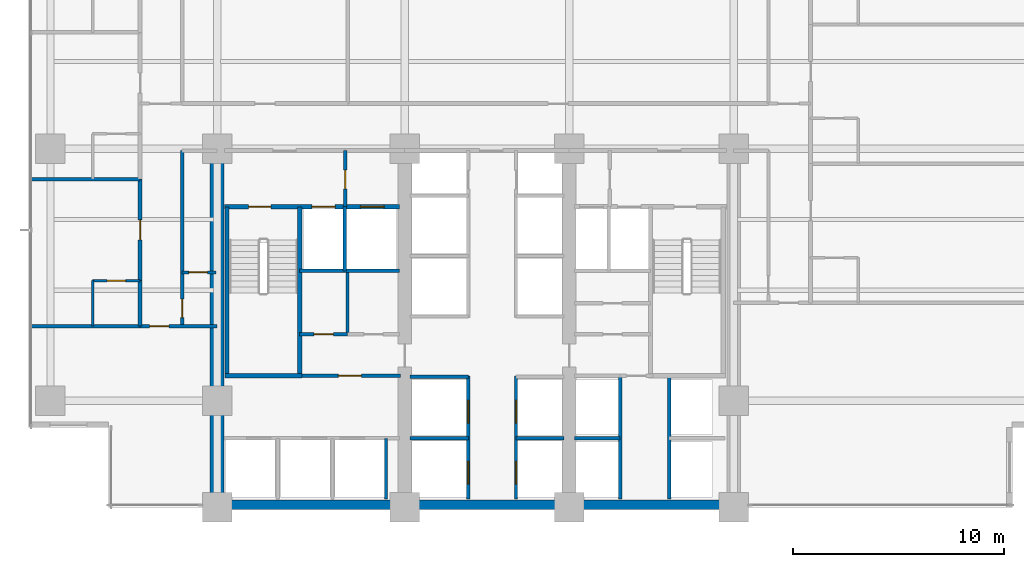
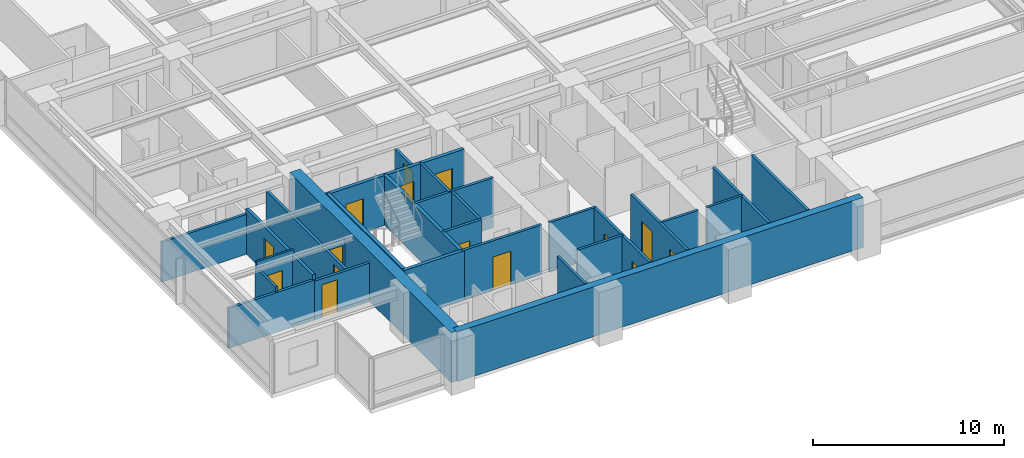
# One storey, part 7 of 16: 30 walls, 15 doors, 15 openings.
"""IFC4 building model written with IfcOpenShell, lengths in metres."""

from ifc_helpers import new_model, si_unit, direction, frame, frame_2d, origin, place, context, subcontext, project, spatial, rectangle, extrude, material, layer, layer_set, type_object, element, fill, save


model = new_model("IFC4")

# Units and contexts
model_context = context("Model", 3, precision=1e-05, world=origin(), true_north=direction((0.0, 1.0)))
body_context = subcontext(model_context, "Body", "Model", "MODEL_VIEW")
ifc_project = project(units=[si_unit("LENGTHUNIT", "METRE"), si_unit("AREAUNIT", "SQUARE_METRE"), si_unit("VOLUMEUNIT", "CUBIC_METRE"), si_unit("PLANEANGLEUNIT", "RADIAN"), si_unit("MASSUNIT", "GRAM", prefix="KILO")], contexts=[model_context])

# Site, building, storey
site_placement = place(None, origin())
site = spatial("IfcSite", under=ifc_project, at=site_placement, CompositionType="ELEMENT")
building_placement = place(site_placement, origin())
building = spatial("IfcBuilding", under=site, at=building_placement, Name="Qalmaran Belvedere Hotel", CompositionType="ELEMENT")
storey_placement = place(building_placement, frame((0.0, 0.0, 71.89990234375)))
storey = spatial("IfcBuildingStorey", under=building, at=storey_placement, Name="L18", CompositionType="ELEMENT", Elevation=71.89990234375)

# Walls
ifc_material_1 = material(Name="Concrete C60/75", Category="concrete")
ifc_layer_1 = layer(ifc_material_1, 0.64990234375, Name="Concrete C60/75")
ifc_layer_set_1 = layer_set([ifc_layer_1], Name="Concrete C60/75")
wall_type_1 = type_object("IfcWallType", Name="WL-CORE-650-C60", PredefinedType="SHEAR", material=ifc_layer_set_1)
wall_1_placement = place(storey_placement, frame((20.300048828125, 3.5, 0.0), z_axis=(0.0, 0.0, 1.0), x_axis=(0.0, 1.0, 0.0)))
element("IfcWall", 1, at=wall_1_placement, inside=storey, type_object=wall_type_1, Name="L18 West Core Shear Wall", PredefinedType="SHEAR", context=body_context, shape_type="SweptSolid", body=[
    extrude(rectangle(XDim=16.89990234375, YDim=0.64990234375, at=frame_2d((8.449951171875, 0.0))), origin(), (0.0, 0.0, 1.0), 3.18017578125),
])
ifc_material_2 = material(Name="Concrete C50/60", Category="concrete")
ifc_layer_2 = layer(ifc_material_2, 0.43994140625, Name="Concrete C50/60")
ifc_layer_set_2 = layer_set([ifc_layer_2], Name="Concrete C50/60")
wall_type_2 = type_object("IfcWallType", Name="WL-CORES-440-EXT", PredefinedType="SHEAR", material=ifc_layer_set_2)
wall_2_placement = place(storey_placement, frame((20.300048828125, 3.6298828125, 0.0), z_axis=(0.0, 0.0, 1.0), x_axis=(1.0, 0.0, 0.0)))
element("IfcWall", 2, at=wall_2_placement, inside=storey, type_object=wall_type_2, Name="L18 South Core Shear Wall", PredefinedType="SHEAR", context=body_context, shape_type="SweptSolid", body=[
    extrude(rectangle(XDim=24.5, YDim=0.43994140625, at=frame_2d((12.25, 0.0))), origin(), (0.0, 0.0, 1.0), 3.18017578125),
])

# Wall, opening, door
ifc_material_3 = material(Name="Moisture-Resistant Gypsum")
ifc_layer_3 = layer(ifc_material_3, 0.1201171875, Name="Moisture-Resistant Gypsum")
ifc_layer_set_3 = layer_set([ifc_layer_3], Name="Moisture-Resistant Gypsum")
wall_type_3 = type_object("IfcWallType", Name="WL-INT-120-BATH", PredefinedType="PARTITIONING", material=ifc_layer_set_3)
wall_3_placement = place(storey_placement, frame((14.39990234375, 14.25, 0.0), z_axis=(0.0, 0.0, 1.0), x_axis=(1.0, 0.0, 0.0)))
wall_3 = element("IfcWall", 3, at=wall_3_placement, inside=storey, type_object=wall_type_3, Name="L18 Partition WL-L18-WBN00", PredefinedType="PARTITIONING", context=body_context, shape_type="SweptSolid", body=[
    extrude(rectangle(XDim=2.25, YDim=0.1201171875, at=frame_2d((1.125, 0.0))), origin(), (0.0, 0.0, 1.0), 3.18017578125),
])
opening_1_placement = place(wall_3_placement, frame((1.56494140625, 0.0, 0.0), z_axis=(0.0, 0.0, 1.0), x_axis=(-1.0, 0.0, 0.0)))
opening_1 = element("IfcOpeningElement", 4, at=opening_1_placement, cuts=wall_3, Name="Opening D-BATH", PredefinedType="OPENING", context=body_context, shape_type="SweptSolid", body=[
    extrude(rectangle(XDim=0.8798828125, YDim=2.080078125, at=frame_2d((0.43994140625, 1.0400390625))), frame((0.0, 0.070068359375, 0.0), z_axis=(0.0, -1.0, 0.0), x_axis=(1.0, 0.0, 0.0)), (0.0, 0.0, 1.0), 0.14013671875),
])
ifc_material_4 = material(Name="Engineered Oak Veneer")
door_type_1 = type_object("IfcDoorType", Name="DR-INT-BATH-880X2080", OperationType="NOTDEFINED", PredefinedType="DOOR", material=ifc_material_4)
door_1_placement = place(opening_1_placement, origin())
door_1 = element("IfcDoor", 5, at=door_1_placement, inside=storey, type_object=door_type_1, Name="L18 W Ensuite Door 01", OperationType="SINGLE_SWING_RIGHT", OverallHeight=2.080078125, OverallWidth=0.8798828125, PredefinedType="DOOR", context=body_context, shape_type="SweptSolid", body=[
    extrude(rectangle(XDim=0.8798828125, YDim=2.080078125, at=frame_2d((0.43994140625, 1.0400390625))), frame((0.0, 0.02490234375, 0.0), z_axis=(0.0, -1.0, 0.0), x_axis=(1.0, 0.0, 0.0)), (0.0, 0.0, 1.0), 0.050048828125),
])
fill(opening_1, door_1)

# Wall
wall_4_placement = place(storey_placement, frame((14.39990234375, 12.10009765625, 0.0), z_axis=(0.0, 0.0, 1.0), x_axis=(0.0, 1.0, 0.0)))
element("IfcWall", 6, at=wall_4_placement, inside=storey, type_object=wall_type_3, Name="L18 Partition WL-L18-WBS00", PredefinedType="PARTITIONING", context=body_context, shape_type="SweptSolid", body=[
    extrude(rectangle(XDim=2.14990234375, YDim=0.1201171875, at=frame_2d((1.074951171875, 0.0))), origin(), (0.0, 0.0, 1.0), 2.862060546875),
])

# Wall, opening, door
ifc_material_5 = material(Name="Gypsum Stud Partition")
ifc_layer_4 = layer(ifc_material_5, 0.139892578125, Name="Gypsum Stud Partition")
ifc_layer_set_4 = layer_set([ifc_layer_4], Name="Gypsum Stud Partition")
wall_type_4 = type_object("IfcWallType", Name="WL-INT-140-NR", PredefinedType="PARTITIONING", material=ifc_layer_set_4)
wall_5_placement = place(storey_placement, frame((18.64990234375, 14.64990234375, 0.0), z_axis=(0.0, 0.0, 1.0), x_axis=(1.0, 0.0, 0.0)))
wall_5 = element("IfcWall", 7, at=wall_5_placement, inside=storey, type_object=wall_type_4, Name="L18 Partition WL-L18-WCLSUB", PredefinedType="PARTITIONING", context=body_context, shape_type="SweptSolid", body=[
    extrude(rectangle(XDim=1.60009765625, YDim=0.139892578125, at=frame_2d((0.800048828125, 0.0))), origin(), (0.0, 0.0, 1.0), 2.47021484375),
])
opening_2_placement = place(wall_5_placement, frame((1.193115234375, 0.0, 0.0), z_axis=(0.0, 0.0, 1.0), x_axis=(-1.0, 0.0, 0.0)))
opening_2 = element("IfcOpeningElement", 8, at=opening_2_placement, cuts=wall_5, Name="Opening D-BATH", PredefinedType="OPENING", context=body_context, shape_type="SweptSolid", body=[
    extrude(rectangle(XDim=0.8798828125, YDim=2.080078125, at=frame_2d((0.43994140625, 1.0400390625))), frame((0.0, 0.080078125, 0.0), z_axis=(0.0, -1.0, 0.0), x_axis=(1.0, 0.0, 0.0)), (0.0, 0.0, 1.0), 0.159912109375),
])
door_2_placement = place(opening_2_placement, origin())
door_2 = element("IfcDoor", 9, at=door_2_placement, inside=storey, type_object=door_type_1, Name="L18 Closet Alcove Door", OperationType="SINGLE_SWING_LEFT", OverallHeight=2.080078125, OverallWidth=0.8798828125, PredefinedType="DOOR", context=body_context, shape_type="SweptSolid", body=[
    extrude(rectangle(XDim=0.8798828125, YDim=2.080078125, at=frame_2d((0.43994140625, 1.0400390625))), frame((0.0, 0.02490234375, 0.0), z_axis=(0.0, -1.0, 0.0), x_axis=(1.0, 0.0, 0.0)), (0.0, 0.0, 1.0), 0.050048828125),
])
fill(opening_2, door_2)

# Walls
ifc_layer_5 = layer(ifc_material_5, 0.14990234375, Name="Gypsum Stud Partition")
ifc_layer_set_5 = layer_set([ifc_layer_5], Name="Gypsum Stud Partition")
wall_type_5 = type_object("IfcWallType", Name="WL-INT-150-EI120", PredefinedType="PARTITIONING", material=ifc_layer_set_5)
wall_6_placement = place(storey_placement, frame((26.360107421875, 14.719970703125, 0.0), z_axis=(0.0, 0.0, 1.0), x_axis=(0.0, 1.0, 0.0)))
element("IfcWall", 10, at=wall_6_placement, inside=storey, type_object=wall_type_5, Name="L18 Partition WL-FF1M-L18", PredefinedType="PARTITIONING", context=body_context, shape_type="SweptSolid", body=[
    extrude(rectangle(XDim=3.0400390625, YDim=0.14990234375, at=frame_2d((1.52001953125, 0.0))), origin(), (0.0, 0.0, 1.0), 3.18017578125),
])
wall_7_placement = place(storey_placement, frame((28.320068359375, 3.89990234375, 0.0), z_axis=(0.0, 0.0, 1.0), x_axis=(0.0, 1.0, 0.0)))
element("IfcWall", 11, at=wall_7_placement, inside=storey, type_object=wall_type_5, Name="L18 Partition WL-POM3-L18", PredefinedType="PARTITIONING", context=body_context, shape_type="SweptSolid", body=[
    extrude(rectangle(XDim=2.880126953125, YDim=0.14990234375, at=frame_2d((1.43994140625, 0.0))), origin(), (0.0, 0.0, 1.0), 3.18017578125),
])
wall_8_placement = place(storey_placement, frame((37.25, 6.780029296875, 0.0), z_axis=(0.0, 0.0, 1.0), x_axis=(1.0, 0.0, 0.0)))
element("IfcWall", 12, at=wall_8_placement, inside=storey, type_object=wall_type_5, Name="L18 Partition WL-PHMW-L18", PredefinedType="PARTITIONING", context=body_context, shape_type="SweptSolid", body=[
    extrude(rectangle(XDim=2.169921875, YDim=0.14990234375, at=frame_2d((1.0849609375, 0.0))), origin(), (0.0, 0.0, 1.0), 3.18017578125),
])
wall_9_placement = place(storey_placement, frame((29.449951171875, 6.780029296875, 0.0), z_axis=(0.0, 0.0, 1.0), x_axis=(1.0, 0.0, 0.0)))
element("IfcWall", 13, at=wall_9_placement, inside=storey, type_object=wall_type_5, Name="L18 Partition WL-PLW-L18-67", PredefinedType="PARTITIONING", context=body_context, shape_type="SweptSolid", body=[
    extrude(rectangle(XDim=2.77001953125, YDim=0.14990234375, at=frame_2d((1.385009765625, 0.0))), origin(), (0.0, 0.0, 1.0), 3.18017578125),
])
wall_10_placement = place(storey_placement, frame((34.47998046875, 6.780029296875, 0.0), z_axis=(0.0, 0.0, 1.0), x_axis=(1.0, 0.0, 0.0)))
element("IfcWall", 14, at=wall_10_placement, inside=storey, type_object=wall_type_5, Name="L18 Partition WL-PLE-L18-67", PredefinedType="PARTITIONING", context=body_context, shape_type="SweptSolid", body=[
    extrude(rectangle(XDim=2.27001953125, YDim=0.14990234375, at=frame_2d((1.135009765625, 0.0))), origin(), (0.0, 0.0, 1.0), 3.18017578125),
])
wall_11_placement = place(storey_placement, frame((29.449951171875, 9.699951171875, 0.0), z_axis=(0.0, 0.0, 1.0), x_axis=(1.0, 0.0, 0.0)))
element("IfcWall", 15, at=wall_11_placement, inside=storey, type_object=wall_type_5, Name="L18 Partition WL-PLW-L18-97", PredefinedType="PARTITIONING", context=body_context, shape_type="SweptSolid", body=[
    extrude(rectangle(XDim=2.77001953125, YDim=0.14990234375, at=frame_2d((1.385009765625, 0.0))), origin(), (0.0, 0.0, 1.0), 3.18017578125),
])
ifc_layer_6 = layer(ifc_material_5, 0.14990234375, Name="Gypsum Stud Partition")
ifc_layer_set_6 = layer_set([ifc_layer_6], Name="Gypsum Stud Partition")
wall_type_6 = type_object("IfcWallType", Name="WL-INT-150-EI60", PredefinedType="PARTITIONING", material=ifc_layer_set_6)
wall_12_placement = place(storey_placement, frame((26.490478515625, 11.719970703125, 0.0), z_axis=(0.0, 0.0, 1.0), x_axis=(0.0, 1.0, 0.0)))
element("IfcWall", 16, at=wall_12_placement, inside=storey, type_object=wall_type_6, Name="L18 Partition WL-L18-KWV1", PredefinedType="PARTITIONING", context=body_context, shape_type="SweptSolid", body=[
    extrude(rectangle(XDim=2.929931640625, YDim=0.14990234375, at=frame_2d((1.46484375, 0.0))), origin(), (0.0, 0.0, 1.0), 3.18017578125),
])

# Wall, opening, door
ifc_layer_7 = layer(ifc_material_5, 0.159912109375, Name="Gypsum Stud Partition")
ifc_layer_set_7 = layer_set([ifc_layer_7], Name="Gypsum Stud Partition")
wall_type_7 = type_object("IfcWallType", Name="WL-INT-160-EI120", PredefinedType="PARTITIONING", material=ifc_layer_set_7)
wall_13_placement = place(storey_placement, frame((26.3798828125, 17.760009765625, 0.0), z_axis=(0.0, 0.0, 1.0), x_axis=(0.0, 1.0, 0.0)))
wall_13 = element("IfcWall", 17, at=wall_13_placement, inside=storey, type_object=wall_type_7, Name="L18 Partition WL-FFSV1-L18", PredefinedType="PARTITIONING", context=body_context, shape_type="SweptSolid", body=[
    extrude(rectangle(XDim=2.659912109375, YDim=0.159912109375, at=frame_2d((1.330078125, 0.0))), origin(), (0.0, 0.0, 1.0), 2.47021484375),
])
opening_3_placement = place(wall_13_placement, frame((0.85009765625, 0.0, 0.0)))
opening_3 = element("IfcOpeningElement", 18, at=opening_3_placement, cuts=wall_13, Name="Opening FD60B", PredefinedType="OPENING", context=body_context, shape_type="SweptSolid", body=[
    extrude(rectangle(XDim=0.8798828125, YDim=2.080078125, at=frame_2d((0.43994140625, 1.0400390625))), frame((0.0, 0.08984375, 0.0), z_axis=(0.0, -1.0, 0.0), x_axis=(1.0, 0.0, 0.0)), (0.0, 0.0, 1.0), 0.179931640625),
])
ifc_material_6 = material(Name="Steel S355JR", Category="steel")
door_type_2 = type_object("IfcDoorType", Name="DR-FD60B-880X2080", OperationType="NOTDEFINED", PredefinedType="DOOR", material=ifc_material_6)
door_3_placement = place(opening_3_placement, origin())
door_3 = element("IfcDoor", 19, at=door_3_placement, inside=storey, type_object=door_type_2, Name="L18 Service Lobby West Door", OperationType="SINGLE_SWING_LEFT", OverallHeight=2.080078125, OverallWidth=0.8798828125, PredefinedType="DOOR", context=body_context, shape_type="SweptSolid", body=[
    extrude(rectangle(XDim=0.8798828125, YDim=2.080078125, at=frame_2d((0.43994140625, 1.0400390625))), frame((0.0, 0.02490234375, 0.0), z_axis=(0.0, -1.0, 0.0), x_axis=(1.0, 0.0, 0.0)), (0.0, 0.0, 1.0), 0.050048828125),
])
fill(opening_3, door_3)

# Wall
wall_14_placement = place(storey_placement, frame((24.219970703125, 14.719970703125, 0.0), z_axis=(0.0, 0.0, 1.0), x_axis=(1.0, 0.0, 0.0)))
element("IfcWall", 20, at=wall_14_placement, inside=storey, type_object=wall_type_7, Name="L18 Partition WL-FF1S-L18", PredefinedType="PARTITIONING", context=body_context, shape_type="SweptSolid", body=[
    extrude(rectangle(XDim=4.72998046875, YDim=0.159912109375, at=frame_2d((2.364990234375, 0.0))), origin(), (0.0, 0.0, 1.0), 3.18017578125),
])

# Wall, opening, door
wall_15_placement = place(storey_placement, frame((24.199951171875, 9.739990234375, 0.0), z_axis=(0.0, 0.0, 1.0), x_axis=(1.0, 0.0, 0.0)))
wall_15 = element("IfcWall", 21, at=wall_15_placement, inside=storey, type_object=wall_type_7, Name="L18 Partition WL-PON-L18", PredefinedType="PARTITIONING", context=body_context, shape_type="SweptSolid", body=[
    extrude(rectangle(XDim=4.800048828125, YDim=0.159912109375, at=frame_2d((2.39990234375, 0.0))), origin(), (0.0, 0.0, 1.0), 3.18017578125),
])
opening_4_placement = place(wall_15_placement, frame((1.85009765625, 0.0, 0.0)))
opening_4 = element("IfcOpeningElement", 22, at=opening_4_placement, cuts=wall_15, Name="Opening FD90", PredefinedType="OPENING", context=body_context, shape_type="SweptSolid", body=[
    extrude(rectangle(XDim=1.10009765625, YDim=2.14990234375, at=frame_2d((0.550048828125, 1.074951171875))), frame((0.0, 0.08984375, 0.0), z_axis=(0.0, -1.0, 0.0), x_axis=(1.0, 0.0, 0.0)), (0.0, 0.0, 1.0), 0.179931640625),
])
door_type_3 = type_object("IfcDoorType", Name="DR-FD90-1100X2150", OperationType="NOTDEFINED", PredefinedType="DOOR", material=ifc_material_6)
door_4_placement = place(opening_4_placement, origin())
door_4 = element("IfcDoor", 23, at=door_4_placement, inside=storey, type_object=door_type_3, Name="L18 Shuttle Lobby Passage Door", OperationType="SINGLE_SWING_RIGHT", OverallHeight=2.14990234375, OverallWidth=1.10009765625, PredefinedType="DOOR", context=body_context, shape_type="SweptSolid", body=[
    extrude(rectangle(XDim=1.10009765625, YDim=2.14990234375, at=frame_2d((0.550048828125, 1.074951171875))), frame((0.0, 0.02490234375, 0.0), z_axis=(0.0, -1.0, 0.0), x_axis=(1.0, 0.0, 0.0)), (0.0, 0.0, 1.0), 0.050048828125),
])
fill(opening_4, door_4)

# Walls
for number, where, z_axis, x_axis, name in (
    (24, (39.419921875, 3.89990234375, 0.0), (0.0, 0.0, 1.0), (0.0, 1.0, 0.0), "L18 Partition WL-PHW-L18"),
    (25, (41.739990234375, 3.89990234375, 0.0), (0.0, 0.0, 1.0), (0.0, 1.0, 0.0), "L18 Partition WL-PHE-L18"),
):
    element("IfcWall", number, at=place(storey_placement, frame(where, z_axis=z_axis, x_axis=x_axis)), inside=storey, type_object=wall_type_7, Name=name, PredefinedType="PARTITIONING", context=body_context, shape_type="SweptSolid", body=[
        extrude(rectangle(XDim=5.840087890625, YDim=0.159912109375, at=frame_2d((2.919921875, 0.0))), origin(), (0.0, 0.0, 1.0), 3.18017578125),
    ])

# Wall, openings, doors
wall_16_placement = place(storey_placement, frame((32.219970703125, 3.89990234375, 0.0), z_axis=(0.0, 0.0, 1.0), x_axis=(0.0, 1.0, 0.0)))
wall_16 = element("IfcWall", 26, at=wall_16_placement, inside=storey, type_object=wall_type_7, Name="L18 Partition WL-CLBWS-L18", PredefinedType="PARTITIONING", context=body_context, shape_type="SweptSolid", body=[
    extrude(rectangle(XDim=5.840087890625, YDim=0.159912109375, at=frame_2d((2.919921875, 0.0))), origin(), (0.0, 0.0, 1.0), 3.18017578125),
])
opening_5_placement = place(wall_16_placement, frame((1.780029296875, 0.0, 0.0), z_axis=(0.0, 0.0, 1.0), x_axis=(-1.0, 0.0, 0.0)))
opening_5 = element("IfcOpeningElement", 27, at=opening_5_placement, cuts=wall_16, Name="Opening LD-P1", PredefinedType="OPENING", context=body_context, shape_type="SweptSolid", body=[
    extrude(rectangle(XDim=1.080078125, YDim=2.159912109375, at=frame_2d((0.5400390625, 1.080078125))), frame((0.0, 0.08984375, 0.0), z_axis=(0.0, -1.0, 0.0), x_axis=(1.0, 0.0, 0.0)), (0.0, 0.0, 1.0), 0.179931640625),
])
opening_6_placement = place(wall_16_placement, frame((4.68017578125, 0.0, 0.0), z_axis=(0.0, 0.0, 1.0), x_axis=(-1.0, 0.0, 0.0)))
opening_6 = element("IfcOpeningElement", 28, at=opening_6_placement, cuts=wall_16, Name="Opening LD-P1", PredefinedType="OPENING", context=body_context, shape_type="SweptSolid", body=[
    extrude(rectangle(XDim=1.080078125, YDim=2.159912109375, at=frame_2d((0.5400390625, 1.080078125))), frame((0.0, 0.08984375, 0.0), z_axis=(0.0, -1.0, 0.0), x_axis=(1.0, 0.0, 0.0)), (0.0, 0.0, 1.0), 0.179931640625),
])
ifc_material_7 = material(Name="Stainless Steel 1.4401", Category="steel")
door_type_4 = type_object("IfcDoorType", Name="DR-LIFT-P1-1080X2160", OperationType="DOUBLE_DOOR_SLIDING", PredefinedType="DOOR", material=ifc_material_7)
door_5_placement = place(opening_5_placement, origin())
door_5 = element("IfcDoor", 29, at=door_5_placement, inside=storey, type_object=door_type_4, Name="L18 PL1 Lift Landing Door", OperationType="DOUBLE_DOOR_SLIDING", OverallHeight=2.159912109375, OverallWidth=1.080078125, PredefinedType="DOOR", context=body_context, shape_type="SweptSolid", body=[
    extrude(rectangle(XDim=1.080078125, YDim=2.159912109375, at=frame_2d((0.5400390625, 1.080078125))), frame((0.0, 0.02490234375, 0.0), z_axis=(0.0, -1.0, 0.0), x_axis=(1.0, 0.0, 0.0)), (0.0, 0.0, 1.0), 0.050048828125),
])
fill(opening_5, door_5)
door_6_placement = place(opening_6_placement, origin())
door_6 = element("IfcDoor", 30, at=door_6_placement, inside=storey, type_object=door_type_4, Name="L18 PL2 Lift Landing Door", OperationType="DOUBLE_DOOR_SLIDING", OverallHeight=2.159912109375, OverallWidth=1.080078125, PredefinedType="DOOR", context=body_context, shape_type="SweptSolid", body=[
    extrude(rectangle(XDim=1.080078125, YDim=2.159912109375, at=frame_2d((0.5400390625, 1.080078125))), frame((0.0, 0.02490234375, 0.0), z_axis=(0.0, -1.0, 0.0), x_axis=(1.0, 0.0, 0.0)), (0.0, 0.0, 1.0), 0.050048828125),
])
fill(opening_6, door_6)

wall_17_placement = place(storey_placement, frame((34.47998046875, 3.89990234375, 0.0), z_axis=(0.0, 0.0, 1.0), x_axis=(0.0, 1.0, 0.0)))
wall_17 = element("IfcWall", 31, at=wall_17_placement, inside=storey, type_object=wall_type_7, Name="L18 Partition WL-CLBES-L18", PredefinedType="PARTITIONING", context=body_context, shape_type="SweptSolid", body=[
    extrude(rectangle(XDim=5.840087890625, YDim=0.159912109375, at=frame_2d((2.919921875, 0.0))), origin(), (0.0, 0.0, 1.0), 3.18017578125),
])
opening_7_placement = place(wall_17_placement, frame((0.699951171875, 0.0, 0.0)))
opening_7 = element("IfcOpeningElement", 32, at=opening_7_placement, cuts=wall_17, Name="Opening LD-P1", PredefinedType="OPENING", context=body_context, shape_type="SweptSolid", body=[
    extrude(rectangle(XDim=1.080078125, YDim=2.159912109375, at=frame_2d((0.5400390625, 1.080078125))), frame((0.0, 0.08984375, 0.0), z_axis=(0.0, -1.0, 0.0), x_axis=(1.0, 0.0, 0.0)), (0.0, 0.0, 1.0), 0.179931640625),
])
opening_8_placement = place(wall_17_placement, frame((3.60009765625, 0.0, 0.0)))
opening_8 = element("IfcOpeningElement", 33, at=opening_8_placement, cuts=wall_17, Name="Opening LD-P1", PredefinedType="OPENING", context=body_context, shape_type="SweptSolid", body=[
    extrude(rectangle(XDim=1.080078125, YDim=2.159912109375, at=frame_2d((0.5400390625, 1.080078125))), frame((0.0, 0.08984375, 0.0), z_axis=(0.0, -1.0, 0.0), x_axis=(1.0, 0.0, 0.0)), (0.0, 0.0, 1.0), 0.179931640625),
])
door_7_placement = place(opening_7_placement, origin())
door_7 = element("IfcDoor", 34, at=door_7_placement, inside=storey, type_object=door_type_4, Name="L18 PL3 Lift Landing Door", OperationType="DOUBLE_DOOR_SLIDING", OverallHeight=2.159912109375, OverallWidth=1.080078125, PredefinedType="DOOR", context=body_context, shape_type="SweptSolid", body=[
    extrude(rectangle(XDim=1.080078125, YDim=2.159912109375, at=frame_2d((0.5400390625, 1.080078125))), frame((0.0, 0.02490234375, 0.0), z_axis=(0.0, -1.0, 0.0), x_axis=(1.0, 0.0, 0.0)), (0.0, 0.0, 1.0), 0.050048828125),
])
fill(opening_7, door_7)
door_8_placement = place(opening_8_placement, origin())
door_8 = element("IfcDoor", 35, at=door_8_placement, inside=storey, type_object=door_type_4, Name="L18 PL4 Lift Landing Door", OperationType="DOUBLE_DOOR_SLIDING", OverallHeight=2.159912109375, OverallWidth=1.080078125, PredefinedType="DOOR", context=body_context, shape_type="SweptSolid", body=[
    extrude(rectangle(XDim=1.080078125, YDim=2.159912109375, at=frame_2d((0.5400390625, 1.080078125))), frame((0.0, 0.02490234375, 0.0), z_axis=(0.0, -1.0, 0.0), x_axis=(1.0, 0.0, 0.0)), (0.0, 0.0, 1.0), 0.050048828125),
])
fill(opening_8, door_8)

# Wall, opening, door
ifc_layer_8 = layer(ifc_material_5, 0.159912109375, Name="Gypsum Stud Partition")
ifc_layer_set_8 = layer_set([ifc_layer_8], Name="Gypsum Stud Partition")
wall_type_8 = type_object("IfcWallType", Name="WL-INT-160-EI60", PredefinedType="PARTITIONING", material=ifc_layer_set_8)
wall_18_placement = place(storey_placement, frame((24.219970703125, 11.719970703125, 0.0), z_axis=(0.0, 0.0, 1.0), x_axis=(1.0, 0.0, 0.0)))
wall_18 = element("IfcWall", 36, at=wall_18_placement, inside=storey, type_object=wall_type_8, Name="L18 Partition WL-L18-KWE1", PredefinedType="PARTITIONING", context=body_context, shape_type="SweptSolid", body=[
    extrude(rectangle(XDim=2.2705078125, YDim=0.159912109375, at=frame_2d((1.13525390625, 0.0))), origin(), (0.0, 0.0, 1.0), 3.18017578125),
])
opening_9_placement = place(wall_18_placement, frame((0.67529296875, 0.0, 0.0)))
opening_9 = element("IfcOpeningElement", 37, at=opening_9_placement, cuts=wall_18, Name="Opening FD60S1", PredefinedType="OPENING", context=body_context, shape_type="SweptSolid", body=[
    extrude(rectangle(XDim=0.919921875, YDim=2.080078125, at=frame_2d((0.4599609375, 1.0400390625))), frame((0.0, 0.08984375, 0.0), z_axis=(0.0, -1.0, 0.0), x_axis=(1.0, 0.0, 0.0)), (0.0, 0.0, 1.0), 0.179931640625),
])
door_type_5 = type_object("IfcDoorType", Name="DR-FD60S-920X2080", OperationType="NOTDEFINED", PredefinedType="DOOR", material=ifc_material_4)
door_9_placement = place(opening_9_placement, origin())
door_9 = element("IfcDoor", 38, at=door_9_placement, inside=storey, type_object=door_type_5, Name="L18 Telecom and IT Room Door", OperationType="SINGLE_SWING_RIGHT", OverallHeight=2.080078125, OverallWidth=0.919921875, PredefinedType="DOOR", context=body_context, shape_type="SweptSolid", body=[
    extrude(rectangle(XDim=0.919921875, YDim=2.080078125, at=frame_2d((0.4599609375, 1.0400390625))), frame((0.0, 0.02490234375, 0.0), z_axis=(0.0, -1.0, 0.0), x_axis=(1.0, 0.0, 0.0)), (0.0, 0.0, 1.0), 0.050048828125),
])
fill(opening_9, door_9)

wall_19_placement = place(storey_placement, frame((16.64990234375, 12.10009765625, 0.0), z_axis=(0.0, 0.0, 1.0), x_axis=(1.0, 0.0, 0.0)))
wall_19 = element("IfcWall", 39, at=wall_19_placement, inside=storey, type_object=wall_type_8, Name="L18 Partition WL-L18-SWRL", PredefinedType="PARTITIONING", context=body_context, shape_type="SweptSolid", body=[
    extrude(rectangle(XDim=3.650146484375, YDim=0.159912109375, at=frame_2d((1.8251953125, 0.0))), origin(), (0.0, 0.0, 1.0), 2.47021484375),
])
opening_10_placement = place(wall_19_placement, frame((1.369873046875, 0.0, 0.0), z_axis=(0.0, 0.0, 1.0), x_axis=(-1.0, 0.0, 0.0)))
opening_10 = element("IfcOpeningElement", 40, at=opening_10_placement, cuts=wall_19, Name="Opening FD60S1", PredefinedType="OPENING", context=body_context, shape_type="SweptSolid", body=[
    extrude(rectangle(XDim=0.919921875, YDim=2.080078125, at=frame_2d((0.4599609375, 1.0400390625))), frame((0.0, 0.08984375, 0.0), z_axis=(0.0, -1.0, 0.0), x_axis=(1.0, 0.0, 0.0)), (0.0, 0.0, 1.0), 0.179931640625),
])
door_10_placement = place(opening_10_placement, origin())
door_10 = element("IfcDoor", 41, at=door_10_placement, inside=storey, type_object=door_type_5, Name="L18 SW Lounge Door", OperationType="SINGLE_SWING_RIGHT", OverallHeight=2.080078125, OverallWidth=0.919921875, PredefinedType="DOOR", context=body_context, shape_type="SweptSolid", body=[
    extrude(rectangle(XDim=0.919921875, YDim=2.080078125, at=frame_2d((0.4599609375, 1.0400390625))), frame((0.0, 0.02490234375, 0.0), z_axis=(0.0, -1.0, 0.0), x_axis=(1.0, 0.0, 0.0)), (0.0, 0.0, 1.0), 0.050048828125),
])
fill(opening_10, door_10)

wall_20_placement = place(storey_placement, frame((18.64990234375, 12.10009765625, 0.0), z_axis=(0.0, 0.0, 1.0), x_axis=(0.0, 1.0, 0.0)))
wall_20 = element("IfcWall", 42, at=wall_20_placement, inside=storey, type_object=wall_type_8, Name="L18 Partition WL-L18-WCL", PredefinedType="PARTITIONING", context=body_context, shape_type="SweptSolid", body=[
    extrude(rectangle(XDim=8.31982421875, YDim=0.159912109375, at=frame_2d((4.159912109375, 0.0))), origin(), (0.0, 0.0, 1.0), 2.47021484375),
])
opening_11_placement = place(wall_20_placement, frame((1.27978515625, 0.0, 0.0), z_axis=(0.0, 0.0, 1.0), x_axis=(-1.0, 0.0, 0.0)))
opening_11 = element("IfcOpeningElement", 43, at=opening_11_placement, cuts=wall_20, Name="Opening FD60B", PredefinedType="OPENING", context=body_context, shape_type="SweptSolid", body=[
    extrude(rectangle(XDim=0.8798828125, YDim=2.080078125, at=frame_2d((0.43994140625, 1.0400390625))), frame((0.0, 0.08984375, 0.0), z_axis=(0.0, -1.0, 0.0), x_axis=(1.0, 0.0, 0.0)), (0.0, 0.0, 1.0), 0.179931640625),
])
door_11_placement = place(opening_11_placement, origin())
door_11 = element("IfcDoor", 44, at=door_11_placement, inside=storey, type_object=door_type_2, Name="L18 West Closet Door", OperationType="SINGLE_SWING_RIGHT", OverallHeight=2.080078125, OverallWidth=0.8798828125, PredefinedType="DOOR", context=body_context, shape_type="SweptSolid", body=[
    extrude(rectangle(XDim=0.8798828125, YDim=2.080078125, at=frame_2d((0.43994140625, 1.0400390625))), frame((0.0, 0.02490234375, 0.0), z_axis=(0.0, -1.0, 0.0), x_axis=(1.0, 0.0, 0.0)), (0.0, 0.0, 1.0), 0.050048828125),
])
fill(opening_11, door_11)

# Walls
for number, where, z_axis, x_axis, name in (
    (45, (11.469970703125, 12.10009765625, 0.0), (0.0, 0.0, 1.0), (1.0, 0.0, 0.0), "L18 Partition WL-L18-WBOT"),
    (46, (11.469970703125, 19.066650390625, 0.0), (0.0, 0.0, 1.0), (1.0, 0.0, 0.0), "L18 Partition WL-L18-WU00"),
):
    element("IfcWall", number, at=place(storey_placement, frame(where, z_axis=z_axis, x_axis=x_axis)), inside=storey, type_object=wall_type_8, Name=name, PredefinedType="PARTITIONING", context=body_context, shape_type="SweptSolid", body=[
        extrude(rectangle(XDim=5.179931640625, YDim=0.159912109375, at=frame_2d((2.58984375, 0.0))), origin(), (0.0, 0.0, 1.0), 2.543212890625),
    ])
ifc_layer_9 = layer(ifc_material_5, 0.179931640625, Name="Gypsum Stud Partition")
ifc_layer_set_9 = layer_set([ifc_layer_9], Name="Gypsum Stud Partition")
wall_type_9 = type_object("IfcWallType", Name="WL-INT-180-EI60", PredefinedType="PARTITIONING", material=ifc_layer_set_9)
wall_21_placement = place(storey_placement, frame((16.64990234375, 12.10009765625, 0.0), z_axis=(0.0, 0.0, 1.0), x_axis=(0.0, 1.0, 0.0)))
element("IfcWall", 47, at=wall_21_placement, inside=storey, type_object=wall_type_9, Name="L18 Partition WL-L18-WBC00", PredefinedType="PARTITIONING", context=body_context, shape_type="SweptSolid", body=[
    extrude(rectangle(XDim=2.14990234375, YDim=0.179931640625, at=frame_2d((1.074951171875, 0.0))), origin(), (0.0, 0.0, 1.0), 2.862060546875),
])

# Wall, opening, door
wall_22_placement = place(storey_placement, frame((16.64990234375, 14.25, 0.0), z_axis=(0.0, 0.0, 1.0), x_axis=(0.0, 1.0, 0.0)))
wall_22 = element("IfcWall", 48, at=wall_22_placement, inside=storey, type_object=wall_type_9, Name="L18 Partition WL-L18-WEC00", PredefinedType="PARTITIONING", context=body_context, shape_type="SweptSolid", body=[
    extrude(rectangle(XDim=4.816650390625, YDim=0.179931640625, at=frame_2d((2.408203125, 0.0))), origin(), (0.0, 0.0, 1.0), 2.862060546875),
])
opening_12_placement = place(wall_22_placement, frame((1.933349609375, 0.0, 0.0)))
opening_12 = element("IfcOpeningElement", 49, at=opening_12_placement, cuts=wall_22, Name="Opening FD60", PredefinedType="OPENING", context=body_context, shape_type="SweptSolid", body=[
    extrude(rectangle(XDim=0.949951171875, YDim=2.14990234375, at=frame_2d((0.47509765625, 1.074951171875))), frame((0.0, 0.10009765625, 0.0), z_axis=(0.0, -1.0, 0.0), x_axis=(1.0, 0.0, 0.0)), (0.0, 0.0, 1.0), 0.199951171875),
])
door_type_6 = type_object("IfcDoorType", Name="DR-FD60-950X2150", OperationType="NOTDEFINED", PredefinedType="DOOR", material=ifc_material_4)
door_12_placement = place(opening_12_placement, origin())
door_12 = element("IfcDoor", 50, at=door_12_placement, inside=storey, type_object=door_type_6, Name="L18 W Wing Door 01", OperationType="SINGLE_SWING_LEFT", OverallHeight=2.14990234375, OverallWidth=0.949951171875, PredefinedType="DOOR", context=body_context, shape_type="SweptSolid", body=[
    extrude(rectangle(XDim=0.949951171875, YDim=2.14990234375, at=frame_2d((0.47509765625, 1.074951171875))), frame((0.0, 0.02490234375, 0.0), z_axis=(0.0, -1.0, 0.0), x_axis=(1.0, 0.0, 0.0)), (0.0, 0.0, 1.0), 0.050048828125),
])
fill(opening_12, door_12)

# Walls
ifc_layer_10 = layer(ifc_material_2, 0.2099609375, Name="Concrete C50/60")
ifc_layer_set_10 = layer_set([ifc_layer_10], Name="Concrete C50/60")
wall_type_10 = type_object("IfcWallType", Name="WL-STAIR-210-C50", PredefinedType="SHEAR", material=ifc_layer_set_10)
for number, where, z_axis, x_axis, name in (
    (51, (20.77490234375, 9.7451171875, 0.0), (0.0, 0.0, 1.0), (0.0, 1.0, 0.0), "L18 Stair ST-1 West Bearing Wall"),
    (52, (24.22509765625, 9.7451171875, 0.0), (0.0, 0.0, 1.0), (0.0, 1.0, 0.0), "L18 Stair ST-1 East Bearing Wall"),
):
    element("IfcWall", number, at=place(storey_placement, frame(where, z_axis=z_axis, x_axis=x_axis)), inside=storey, type_object=wall_type_10, Name=name, PredefinedType="SHEAR", context=body_context, shape_type="SweptSolid", body=[
        extrude(rectangle(XDim=8.009765625, YDim=0.2099609375, at=frame_2d((4.0048828125, 0.0))), origin(), (0.0, 0.0, 1.0), 3.18017578125),
    ])
wall_23_placement = place(storey_placement, frame((20.669921875, 9.7451171875, 0.0), z_axis=(0.0, 0.0, 1.0), x_axis=(1.0, 0.0, 0.0)))
element("IfcWall", 53, at=wall_23_placement, inside=storey, type_object=wall_type_10, Name="L18 Stair ST-1 South Bearing Wall", PredefinedType="SHEAR", context=body_context, shape_type="SweptSolid", body=[
    extrude(rectangle(XDim=3.66015625, YDim=0.2099609375, at=frame_2d((1.830078125, 0.0))), origin(), (0.0, 0.0, 1.0), 3.18017578125),
])

# Wall, openings, doors
wall_24_placement = place(storey_placement, frame((20.64990234375, 17.7548828125, 0.0), z_axis=(0.0, 0.0, 1.0), x_axis=(1.0, 0.0, 0.0)))
wall_24 = element("IfcWall", 54, at=wall_24_placement, inside=storey, type_object=wall_type_10, Name="L18 West Lobby and Stair ST-1 North Bearing Wall", PredefinedType="SHEAR", context=body_context, shape_type="SweptSolid", body=[
    extrude(rectangle(XDim=8.300048828125, YDim=0.2099609375, at=frame_2d((4.14990234375, 0.0))), origin(), (0.0, 0.0, 1.0), 3.18017578125),
])
opening_13_placement = place(wall_24_placement, frame((2.199951171875, 0.0, 0.0), z_axis=(0.0, 0.0, 1.0), x_axis=(-1.0, 0.0, 0.0)))
opening_13 = element("IfcOpeningElement", 55, at=opening_13_placement, cuts=wall_24, Name="Opening FD90S2", PredefinedType="OPENING", context=body_context, shape_type="SweptSolid", body=[
    extrude(rectangle(XDim=1.050048828125, YDim=2.14990234375, at=frame_2d((0.52490234375, 1.074951171875))), frame((0.0, 0.114990234375, 0.0), z_axis=(0.0, -1.0, 0.0), x_axis=(1.0, 0.0, 0.0)), (0.0, 0.0, 1.0), 0.22998046875),
])
opening_14_placement = place(wall_24_placement, frame((4.14990234375, 0.0, 0.0)))
opening_14 = element("IfcOpeningElement", 56, at=opening_14_placement, cuts=wall_24, Name="Opening LD-FF", PredefinedType="OPENING", context=body_context, shape_type="SweptSolid", body=[
    extrude(rectangle(XDim=1.10009765625, YDim=2.179931640625, at=frame_2d((0.550048828125, 1.08984375))), frame((0.0, 0.114990234375, 0.0), z_axis=(0.0, -1.0, 0.0), x_axis=(1.0, 0.0, 0.0)), (0.0, 0.0, 1.0), 0.22998046875),
])
opening_15_placement = place(wall_24_placement, frame((6.449951171875, 0.0, 0.0)))
opening_15 = element("IfcOpeningElement", 57, at=opening_15_placement, cuts=wall_24, Name="Opening LD-SV", PredefinedType="OPENING", context=body_context, shape_type="SweptSolid", body=[
    extrude(rectangle(XDim=1.1201171875, YDim=2.199951171875, at=frame_2d((0.56005859375, 1.10009765625))), frame((0.0, 0.114990234375, 0.0), z_axis=(0.0, -1.0, 0.0), x_axis=(1.0, 0.0, 0.0)), (0.0, 0.0, 1.0), 0.22998046875),
])
door_type_7 = type_object("IfcDoorType", Name="DR-FD90S-1050X2150", OperationType="NOTDEFINED", PredefinedType="DOOR", material=ifc_material_6)
door_13_placement = place(opening_13_placement, origin())
door_13 = element("IfcDoor", 58, at=door_13_placement, inside=storey, type_object=door_type_7, Name="L18 Stair ST-1 Door", OperationType="SINGLE_SWING_LEFT", OverallHeight=2.14990234375, OverallWidth=1.050048828125, PredefinedType="DOOR", context=body_context, shape_type="SweptSolid", body=[
    extrude(rectangle(XDim=1.050048828125, YDim=2.14990234375, at=frame_2d((0.52490234375, 1.074951171875))), frame((0.0, 0.02490234375, 0.0), z_axis=(0.0, -1.0, 0.0), x_axis=(1.0, 0.0, 0.0)), (0.0, 0.0, 1.0), 0.050048828125),
])
fill(opening_13, door_13)
door_type_8 = type_object("IfcDoorType", Name="DR-LIFT-FF-1100X2180", OperationType="DOUBLE_DOOR_SLIDING", PredefinedType="DOOR", material=ifc_material_7)
door_14_placement = place(opening_14_placement, origin())
door_14 = element("IfcDoor", 59, at=door_14_placement, inside=storey, type_object=door_type_8, Name="L18 FF1 Lift Landing Door", OperationType="DOUBLE_DOOR_SLIDING", OverallHeight=2.179931640625, OverallWidth=1.10009765625, PredefinedType="DOOR", context=body_context, shape_type="SweptSolid", body=[
    extrude(rectangle(XDim=1.10009765625, YDim=2.179931640625, at=frame_2d((0.550048828125, 1.08984375))), frame((0.0, 0.02490234375, 0.0), z_axis=(0.0, -1.0, 0.0), x_axis=(1.0, 0.0, 0.0)), (0.0, 0.0, 1.0), 0.050048828125),
])
fill(opening_14, door_14)
door_type_9 = type_object("IfcDoorType", Name="DR-LIFT-SV-1120X2200", OperationType="DOUBLE_DOOR_SLIDING", PredefinedType="DOOR", material=ifc_material_7)
door_15_placement = place(opening_15_placement, origin())
door_15 = element("IfcDoor", 60, at=door_15_placement, inside=storey, type_object=door_type_9, Name="L18 SV1 Lift Landing Door", OperationType="DOUBLE_DOOR_SLIDING", OverallHeight=2.199951171875, OverallWidth=1.1201171875, PredefinedType="DOOR", context=body_context, shape_type="SweptSolid", body=[
    extrude(rectangle(XDim=1.1201171875, YDim=2.199951171875, at=frame_2d((0.56005859375, 1.10009765625))), frame((0.0, 0.02490234375, 0.0), z_axis=(0.0, -1.0, 0.0), x_axis=(1.0, 0.0, 0.0)), (0.0, 0.0, 1.0), 0.050048828125),
])
fill(opening_15, door_15)

save(model, "model.ifc")
